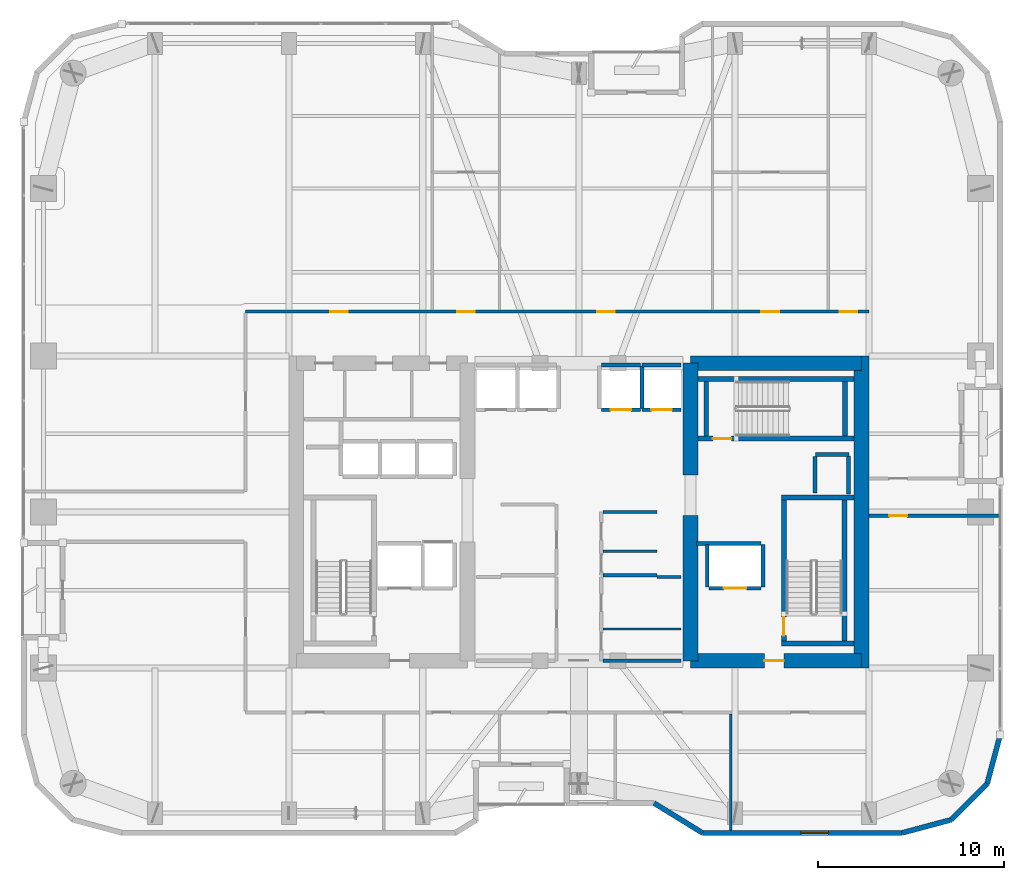
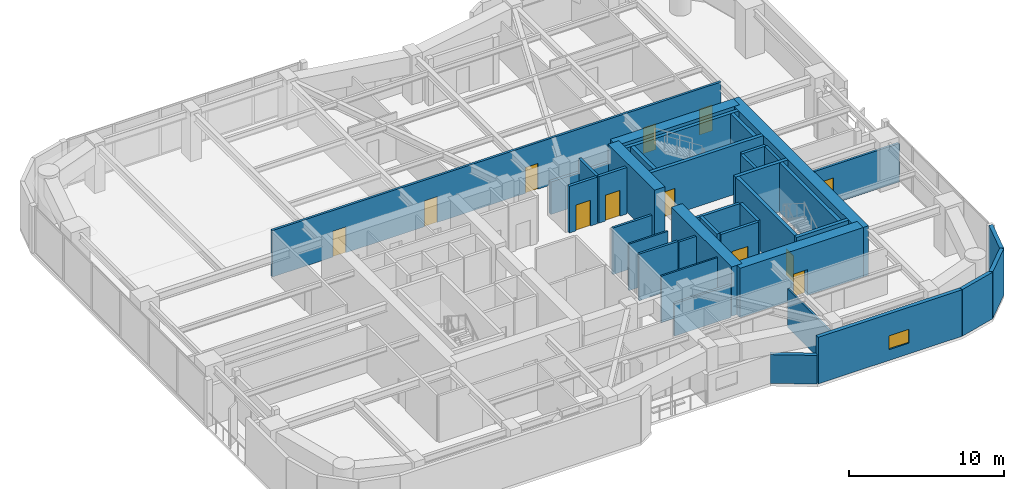
# One storey, part 26 of 30: 39 walls, 12 doors, 1 window, 13 openings.
"""IFC4 building model written with IfcOpenShell, lengths in metres."""

from ifc_helpers import new_model, si_unit, direction, frame, frame_2d, origin, place, context, subcontext, project, spatial, rectangle, extrude, material, layer, layer_set, type_object, element, fill, save


model = new_model("IFC4")

# Units and contexts
model_context = context("Model", 3, precision=1e-05, world=origin(), true_north=direction((0.0, 1.0)))
body_context = subcontext(model_context, "Body", "Model", "MODEL_VIEW")
ifc_project = project(units=[si_unit("LENGTHUNIT", "METRE"), si_unit("AREAUNIT", "SQUARE_METRE"), si_unit("VOLUMEUNIT", "CUBIC_METRE"), si_unit("PLANEANGLEUNIT", "RADIAN"), si_unit("MASSUNIT", "GRAM", prefix="KILO")], contexts=[model_context])

# Site, building, storey
site_placement = place(None, origin())
site = spatial("IfcSite", under=ifc_project, at=site_placement, CompositionType="ELEMENT")
building_placement = place(site_placement, origin())
building = spatial("IfcBuilding", under=site, at=building_placement, Name="Kiyonajd Concourse Tower", CompositionType="ELEMENT")
storey_placement = place(building_placement, frame((0.0, 0.0, 150.60009765625)))
storey = spatial("IfcBuildingStorey", under=building, at=storey_placement, Name="L38", CompositionType="ELEMENT", Elevation=150.60009765625)

# Walls
ifc_material_1 = material(Name="Concrete C70/85", Category="concrete")
ifc_layer_1 = layer(ifc_material_1, 0.800048828125)
ifc_layer_set_1 = layer_set([ifc_layer_1], Name="Concrete C70/85")
wall_type_1 = type_object("IfcWallType", Name="WL-CORE-800", PredefinedType="SHEAR", material=ifc_layer_set_1)
wall_1_placement = place(storey_placement, frame((54.0, 28.0, 0.0), z_axis=(0.0, 0.0, 1.0), x_axis=(0.0, 1.0, 0.0)))
element("IfcWall", 1, at=wall_1_placement, inside=storey, type_object=wall_type_1, Name="L38 East Core Inner South Shear Wall", PredefinedType="SHEAR", context=body_context, shape_type="SweptSolid", body=[
    extrude(rectangle(XDim=7.800048828125, YDim=0.800048828125, at=frame_2d((3.89990234375, 0.0))), origin(), (0.0, 0.0, 1.0), 3.89990234375),
])
wall_2_placement = place(storey_placement, frame((54.0, 38.0, 0.0), z_axis=(0.0, 0.0, 1.0), x_axis=(0.0, 1.0, 0.0)))
element("IfcWall", 2, at=wall_2_placement, inside=storey, type_object=wall_type_1, Name="L38 East Core Inner North Shear Wall", PredefinedType="SHEAR", context=body_context, shape_type="SweptSolid", body=[
    extrude(rectangle(XDim=6.0, YDim=0.800048828125, at=frame_2d((3.0, 0.0))), origin(), (0.0, 0.0, 1.0), 3.89990234375),
])
wall_3_placement = place(storey_placement, frame((63.199951171875, 27.60009765625, 0.0), z_axis=(0.0, 0.0, 1.0), x_axis=(0.0, 1.0, 0.0)))
element("IfcWall", 3, at=wall_3_placement, inside=storey, type_object=wall_type_1, Name="L38 East Core Outer Shear Wall", PredefinedType="SHEAR", context=body_context, shape_type="SweptSolid", body=[
    extrude(rectangle(XDim=16.7998046875, YDim=0.800048828125, at=frame_2d((8.39990234375, 0.0))), origin(), (0.0, 0.0, 1.0), 3.89990234375),
])

# Wall, opening, door
wall_4_placement = place(storey_placement, frame((54.0, 28.0, 0.0), z_axis=(0.0, 0.0, 1.0), x_axis=(1.0, 0.0, 0.0)))
wall_4 = element("IfcWall", 4, at=wall_4_placement, inside=storey, type_object=wall_type_1, Name="L38 East Core South Shear Wall", PredefinedType="SHEAR", context=body_context, shape_type="SweptSolid", body=[
    extrude(rectangle(XDim=9.199951171875, YDim=0.800048828125, at=frame_2d((4.60009765625, 0.0))), origin(), (0.0, 0.0, 1.0), 3.89990234375),
])
opening_1_placement = place(wall_4_placement, frame((3.97509765625, 0.0, 0.0)))
opening_1 = element("IfcOpeningElement", 5, at=opening_1_placement, cuts=wall_4, Name="Opening DF5", PredefinedType="OPENING", context=body_context, shape_type="SweptSolid", body=[
    extrude(rectangle(XDim=1.050048828125, YDim=2.0400390625, at=frame_2d((0.52490234375, 1.02001953125))), frame((0.0, 0.409912109375, 0.0), z_axis=(0.0, -1.0, 0.0), x_axis=(1.0, 0.0, 0.0)), (0.0, 0.0, 1.0), 0.820068359375),
])
ifc_material_2 = material(Name="Brushed Stainless Steel Cab Assembly", Category="steel")
door_type_1 = type_object("IfcDoorType", Name="DR-FD45-1050", OperationType="NOTDEFINED", PredefinedType="DOOR", material=ifc_material_2)
door_1_placement = place(opening_1_placement, origin())
door_1 = element("IfcDoor", 6, at=door_1_placement, inside=storey, type_object=door_type_1, Name="L38 Firefighting Lift Lobby E Smoke Door", OperationType="SINGLE_SWING_RIGHT", OverallHeight=2.0400390625, OverallWidth=1.050048828125, PredefinedType="DOOR", context=body_context, shape_type="SweptSolid", body=[
    extrude(rectangle(XDim=1.050048828125, YDim=2.0400390625, at=frame_2d((0.52490234375, 1.02001953125))), frame((0.0, 0.02490234375, 0.0), z_axis=(0.0, -1.0, 0.0), x_axis=(1.0, 0.0, 0.0)), (0.0, 0.0, 1.0), 0.050048828125),
])
fill(opening_1, door_1)

# Walls
wall_5_placement = place(storey_placement, frame((54.0, 44.0, 0.0), z_axis=(0.0, 0.0, 1.0), x_axis=(1.0, 0.0, 0.0)))
element("IfcWall", 7, at=wall_5_placement, inside=storey, type_object=wall_type_1, Name="L38 East Core North Shear Wall", PredefinedType="SHEAR", context=body_context, shape_type="SweptSolid", body=[
    extrude(rectangle(XDim=9.199951171875, YDim=0.800048828125, at=frame_2d((4.60009765625, 0.0))), origin(), (0.0, 0.0, 1.0), 3.89990234375),
])
ifc_material_3 = material(Name="Precast concrete C50/60", Category="concrete")
ifc_layer_2 = layer(ifc_material_3, 0.280029296875)
ifc_layer_set_2 = layer_set([ifc_layer_2], Name="Precast concrete C50/60")
wall_type_2 = type_object("IfcWallType", Name="WL-EXT-280", PredefinedType="SOLIDWALL", material=ifc_layer_set_2)
wall_6_placement = place(storey_placement, frame((70.659912109375, 24.018310546875, 0.0), z_axis=(0.0, 0.0, 1.0), x_axis=(-0.258672222976, -0.9659651552, 0.0)))
element("IfcWall", 8, at=wall_6_placement, inside=storey, type_object=wall_type_2, Name="L38 Exterior Concrete Frame Wall 25", PredefinedType="SOLIDWALL", context=body_context, shape_type="SweptSolid", body=[
    extrude(rectangle(XDim=2.739013671875, YDim=0.280029296875, at=frame_2d((1.36962890625, 0.0))), origin(), (0.0, 0.0, 1.0), 3.679931640625),
])
wall_7_placement = place(storey_placement, frame((69.951416015625, 21.37255859375, 0.0), z_axis=(0.0, 0.0, 1.0), x_axis=(-0.707061915429, -0.707151644098, 0.0)))
element("IfcWall", 9, at=wall_7_placement, inside=storey, type_object=wall_type_2, Name="L38 Exterior Concrete Frame Wall 26", PredefinedType="SOLIDWALL", context=body_context, shape_type="SweptSolid", body=[
    extrude(rectangle(XDim=2.720947265625, YDim=0.280029296875, at=frame_2d((1.3603515625, 0.0))), origin(), (0.0, 0.0, 1.0), 3.679931640625),
])
wall_8_placement = place(storey_placement, frame((68.027587890625, 19.448486328125, 0.0), z_axis=(0.0, 0.0, 1.0), x_axis=(-0.965971118627, -0.258649952598, 0.0)))
element("IfcWall", 10, at=wall_8_placement, inside=storey, type_object=wall_type_2, Name="L38 Exterior Concrete Frame Wall 27", PredefinedType="SOLIDWALL", context=body_context, shape_type="SweptSolid", body=[
    extrude(rectangle(XDim=2.7392578125, YDim=0.280029296875, at=frame_2d((1.36962890625, 0.0))), origin(), (0.0, 0.0, 1.0), 3.679931640625),
])

# Wall, opening, window
wall_9_placement = place(storey_placement, frame((65.381591796875, 18.739990234375, 0.0), z_axis=(0.0, 0.0, 1.0), x_axis=(-1.0, 0.0, 0.0)))
wall_9 = element("IfcWall", 11, at=wall_9_placement, inside=storey, type_object=wall_type_2, Name="L38 Exterior Concrete Frame Wall 28", PredefinedType="SOLIDWALL", context=body_context, shape_type="SweptSolid", body=[
    extrude(rectangle(XDim=10.741943359375, YDim=0.280029296875, at=frame_2d((5.37109375, 0.0))), origin(), (0.0, 0.0, 1.0), 3.679931640625),
])
opening_2_placement = place(wall_9_placement, frame((3.950927734375, 0.0, 0.85009765625)))
opening_2 = element("IfcOpeningElement", 12, at=opening_2_placement, cuts=wall_9, Name="Opening WN2", PredefinedType="OPENING", context=body_context, shape_type="SweptSolid", body=[
    extrude(rectangle(XDim=1.5, YDim=1.10009765625, at=frame_2d((0.75, 0.550048828125))), frame((0.0, 0.14990234375, 0.0), z_axis=(0.0, -1.0, 0.0), x_axis=(1.0, 0.0, 0.0)), (0.0, 0.0, 1.0), 0.300048828125),
])
ifc_material_4 = material(Name="Double Low-E Insulated Glass", Category="glass")
window_type = type_object("IfcWindowType", Name="WN-VIS-1500x1100", PartitioningType="SINGLE_PANEL", PredefinedType="WINDOW", material=ifc_material_4)
window_placement = place(opening_2_placement, origin())
window = element("IfcWindow", 13, at=window_placement, inside=storey, type_object=window_type, Name="L38 Modular Facade Vision Window 28", OverallHeight=1.10009765625, OverallWidth=1.5, PartitioningType="SINGLE_PANEL", PredefinedType="WINDOW", context=body_context, shape_type="SweptSolid", body=[
    extrude(rectangle(XDim=1.5, YDim=1.10009765625, at=frame_2d((0.75, 0.550048828125))), frame((0.0, 0.030029296875, 0.0), z_axis=(0.0, -1.0, 0.0), x_axis=(1.0, 0.0, 0.0)), (0.0, 0.0, 1.0), 0.06005859375),
])
fill(opening_2, window)

# Walls
wall_10_placement = place(storey_placement, frame((54.6396484375, 18.739990234375, 0.0), z_axis=(0.0, 0.0, 1.0), x_axis=(-0.851652825334, 0.524106349037, 0.0)))
element("IfcWall", 14, at=wall_10_placement, inside=storey, type_object=wall_type_2, Name="L38 Exterior Concrete Frame Wall 29", PredefinedType="SOLIDWALL", context=body_context, shape_type="SweptSolid", body=[
    extrude(rectangle(XDim=3.052978515625, YDim=0.280029296875, at=frame_2d((1.5263671875, 0.0))), origin(), (0.0, 0.0, 1.0), 2.264892578125),
])
ifc_material_5 = material(Name="Gypsum Board on Cold-Formed Steel Stud", Category="steel")
ifc_layer_3 = layer(ifc_material_5, 0.125)
ifc_layer_set_3 = layer_set([ifc_layer_3], Name="Gypsum Board on Cold-Formed Steel Stud")
wall_type_3 = type_object("IfcWallType", Name="WL-PART-125", PredefinedType="PARTITIONING", material=ifc_layer_set_3)
wall_11_placement = place(storey_placement, frame((49.287109375, 33.89208984375, 0.0), z_axis=(0.0, 0.0, 1.0), x_axis=(1.0, 0.0, 0.0)))
element("IfcWall", 15, at=wall_11_placement, inside=storey, type_object=wall_type_3, Name="L38 Interior Partition Wall", PredefinedType="PARTITIONING", context=body_context, shape_type="SweptSolid", body=[
    extrude(rectangle(XDim=2.912841796875, YDim=0.125, at=frame_2d((1.45654296875, 0.0))), origin(), (0.0, 0.0, 1.0), 3.679931640625),
])
wall_12_placement = place(storey_placement, frame((49.287109375, 29.7099609375, 0.0), z_axis=(0.0, 0.0, 1.0), x_axis=(1.0, 0.0, 0.0)))
element("IfcWall", 16, at=wall_12_placement, inside=storey, type_object=wall_type_3, Name="L38 Interior Partition Wall", PredefinedType="PARTITIONING", context=body_context, shape_type="SweptSolid", body=[
    extrude(rectangle(XDim=4.212890625, YDim=0.125, at=frame_2d((2.1064453125, 0.0))), origin(), (0.0, 0.0, 1.0), 3.679931640625),
])
wall_13_placement = place(storey_placement, frame((56.169921875, 18.875, 0.0), z_axis=(0.0, 0.0, 1.0), x_axis=(0.0, 1.0, 0.0)))
element("IfcWall", 17, at=wall_13_placement, inside=storey, type_object=wall_type_3, Name="L38 Interior Partition Wall", PredefinedType="PARTITIONING", context=body_context, shape_type="SweptSolid", body=[
    extrude(rectangle(XDim=6.258056640625, YDim=0.125, at=frame_2d((3.12890625, 0.0))), origin(), (0.0, 0.0, 1.0), 3.04296875),
])
ifc_layer_4 = layer(ifc_material_5, 0.2099609375)
ifc_layer_set_4 = layer_set([ifc_layer_4], Name="Gypsum Board on Cold-Formed Steel Stud")
wall_type_4 = type_object("IfcWallType", Name="WL-SHAFT-210", PredefinedType="PARTITIONING", material=ifc_layer_set_4)
wall_14_placement = place(storey_placement, frame((60.719970703125, 39.10009765625, 0.0), z_axis=(0.0, 0.0, 1.0), x_axis=(1.0, 0.0, 0.0)))
element("IfcWall", 18, at=wall_14_placement, inside=storey, type_object=wall_type_4, Name="L38 Shaft Enclosure Wall", PredefinedType="PARTITIONING", context=body_context, shape_type="SweptSolid", body=[
    extrude(rectangle(XDim=1.800048828125, YDim=0.2099609375, at=frame_2d((0.89990234375, 0.0))), origin(), (0.0, 0.0, 1.0), 3.679931640625),
])
wall_15_placement = place(storey_placement, frame((60.699951171875, 37.02001953125, 0.0), z_axis=(0.0, 0.0, 1.0), x_axis=(0.0, 1.0, 0.0)))
element("IfcWall", 19, at=wall_15_placement, inside=storey, type_object=wall_type_4, Name="L38 Shaft Enclosure Wall", PredefinedType="PARTITIONING", context=body_context, shape_type="SweptSolid", body=[
    extrude(rectangle(XDim=1.9599609375, YDim=0.2099609375, at=frame_2d((0.97998046875, 0.0))), origin(), (0.0, 0.0, 1.0), 3.679931640625),
])
wall_16_placement = place(storey_placement, frame((62.5, 36.97998046875, 0.0), z_axis=(0.0, 0.0, 1.0), x_axis=(0.0, 1.0, 0.0)))
element("IfcWall", 20, at=wall_16_placement, inside=storey, type_object=wall_type_4, Name="L38 Shaft Enclosure Wall", PredefinedType="PARTITIONING", context=body_context, shape_type="SweptSolid", body=[
    extrude(rectangle(XDim=2.0400390625, YDim=0.2099609375, at=frame_2d((1.02001953125, 0.0))), origin(), (0.0, 0.0, 1.0), 3.679931640625),
])

# Wall, opening, door
wall_17_placement = place(storey_placement, frame((55.0, 31.89990234375, 0.0), z_axis=(0.0, 0.0, 1.0), x_axis=(1.0, 0.0, 0.0)))
wall_17 = element("IfcWall", 21, at=wall_17_placement, inside=storey, type_object=wall_type_4, Name="L38 Shaft Enclosure Wall", PredefinedType="PARTITIONING", context=body_context, shape_type="SweptSolid", body=[
    extrude(rectangle(XDim=2.800048828125, YDim=0.2099609375, at=frame_2d((1.39990234375, 0.0))), origin(), (0.0, 0.0, 1.0), 3.679931640625),
])
opening_3_placement = place(wall_17_placement, frame((0.800048828125, 0.0, 0.0)))
opening_3 = element("IfcOpeningElement", 22, at=opening_3_placement, cuts=wall_17, Name="Opening LD2", PredefinedType="OPENING", context=body_context, shape_type="SweptSolid", body=[
    extrude(rectangle(XDim=1.199951171875, YDim=2.0400390625, at=frame_2d((0.60009765625, 1.02001953125))), frame((0.0, 0.114990234375, 0.0), z_axis=(0.0, -1.0, 0.0), x_axis=(1.0, 0.0, 0.0)), (0.0, 0.0, 1.0), 0.22998046875),
])
door_type_2 = type_object("IfcDoorType", Name="DR-LD-1200", OperationType="DOUBLE_DOOR_SLIDING", PredefinedType="DOOR", material=ifc_material_2)
door_2_placement = place(opening_3_placement, origin())
door_2 = element("IfcDoor", 23, at=door_2_placement, inside=storey, type_object=door_type_2, Name="L38 Lift FFL2 Sliding Landing Door", OperationType="DOUBLE_DOOR_SLIDING", OverallHeight=2.0400390625, OverallWidth=1.199951171875, PredefinedType="DOOR", context=body_context, shape_type="SweptSolid", body=[
    extrude(rectangle(XDim=1.199951171875, YDim=2.0400390625, at=frame_2d((0.60009765625, 1.02001953125))), frame((0.0, 0.02490234375, 0.0), z_axis=(0.0, -1.0, 0.0), x_axis=(1.0, 0.0, 0.0)), (0.0, 0.0, 1.0), 0.050048828125),
])
fill(opening_3, door_2)

# Walls
wall_18_placement = place(storey_placement, frame((54.320068359375, 34.300048828125, 0.0), z_axis=(0.0, 0.0, 1.0), x_axis=(1.0, 0.0, 0.0)))
element("IfcWall", 24, at=wall_18_placement, inside=storey, type_object=wall_type_4, Name="L38 Shaft Enclosure Wall", PredefinedType="PARTITIONING", context=body_context, shape_type="SweptSolid", body=[
    extrude(rectangle(XDim=3.47998046875, YDim=0.2099609375, at=frame_2d((1.739990234375, 0.0))), origin(), (0.0, 0.0, 1.0), 3.679931640625),
])
for number, where, z_axis, x_axis, name in (
    (25, (54.89990234375, 31.9599609375, 0.0), (0.0, 0.0, 1.0), (0.0, 1.0, 0.0), "L38 Shaft Enclosure Wall"),
    (26, (57.89990234375, 31.9599609375, 0.0), (0.0, 0.0, 1.0), (0.0, 1.0, 0.0), "L38 Shaft Enclosure Wall"),
):
    element("IfcWall", number, at=place(storey_placement, frame(where, z_axis=z_axis, x_axis=x_axis)), inside=storey, type_object=wall_type_4, Name=name, PredefinedType="PARTITIONING", context=body_context, shape_type="SweptSolid", body=[
        extrude(rectangle(XDim=2.280029296875, YDim=0.2099609375, at=frame_2d((1.14013671875, 0.0))), origin(), (0.0, 0.0, 1.0), 3.679931640625),
    ])

# Wall, opening, door
wall_19_placement = place(storey_placement, frame((49.199951171875, 41.5, 0.0), z_axis=(0.0, 0.0, 1.0), x_axis=(1.0, 0.0, 0.0)))
wall_19 = element("IfcWall", 27, at=wall_19_placement, inside=storey, type_object=wall_type_4, Name="L38 Shaft Enclosure Wall", PredefinedType="PARTITIONING", context=body_context, shape_type="SweptSolid", body=[
    extrude(rectangle(XDim=2.10009765625, YDim=0.2099609375, at=frame_2d((1.050048828125, 0.0))), origin(), (0.0, 0.0, 1.0), 3.679931640625),
])
opening_4_placement = place(wall_19_placement, frame((0.5, 0.0, 0.0)))
opening_4 = element("IfcOpeningElement", 28, at=opening_4_placement, cuts=wall_19, Name="Opening LD1", PredefinedType="OPENING", context=body_context, shape_type="SweptSolid", body=[
    extrude(rectangle(XDim=1.10009765625, YDim=2.0400390625, at=frame_2d((0.550048828125, 1.02001953125))), frame((0.0, 0.114990234375, 0.0), z_axis=(0.0, -1.0, 0.0), x_axis=(1.0, 0.0, 0.0)), (0.0, 0.0, 1.0), 0.22998046875),
])
door_type_3 = type_object("IfcDoorType", Name="DR-LD-1100", OperationType="DOUBLE_DOOR_SLIDING", PredefinedType="DOOR", material=ifc_material_2)
door_3_placement = place(opening_4_placement, origin())
door_3 = element("IfcDoor", 29, at=door_3_placement, inside=storey, type_object=door_type_3, Name="L38 Lift PL-M3 Sliding Landing Door", OperationType="DOUBLE_DOOR_SLIDING", OverallHeight=2.0400390625, OverallWidth=1.10009765625, PredefinedType="DOOR", context=body_context, shape_type="SweptSolid", body=[
    extrude(rectangle(XDim=1.10009765625, YDim=2.0400390625, at=frame_2d((0.550048828125, 1.02001953125))), frame((0.0, 0.02490234375, 0.0), z_axis=(0.0, -1.0, 0.0), x_axis=(1.0, 0.0, 0.0)), (0.0, 0.0, 1.0), 0.050048828125),
])
fill(opening_4, door_3)

# Walls
wall_20_placement = place(storey_placement, frame((49.199951171875, 43.89990234375, 0.0), z_axis=(0.0, 0.0, 1.0), x_axis=(1.0, 0.0, 0.0)))
element("IfcWall", 30, at=wall_20_placement, inside=storey, type_object=wall_type_4, Name="L38 Shaft Enclosure Wall", PredefinedType="PARTITIONING", context=body_context, shape_type="SweptSolid", body=[
    extrude(rectangle(XDim=2.10009765625, YDim=0.2099609375, at=frame_2d((1.050048828125, 0.0))), origin(), (0.0, 0.0, 1.0), 2.56494140625),
])
wall_21_placement = place(storey_placement, frame((51.39990234375, 41.56005859375, 0.0), z_axis=(0.0, 0.0, 1.0), x_axis=(0.0, 1.0, 0.0)))
element("IfcWall", 31, at=wall_21_placement, inside=storey, type_object=wall_type_4, Name="L38 Shaft Enclosure Wall", PredefinedType="PARTITIONING", context=body_context, shape_type="SweptSolid", body=[
    extrude(rectangle(XDim=2.280029296875, YDim=0.2099609375, at=frame_2d((1.14013671875, 0.0))), origin(), (0.0, 0.0, 1.0), 3.679931640625),
])

# Wall, opening, door
wall_22_placement = place(storey_placement, frame((51.39990234375, 41.5, 0.0), z_axis=(0.0, 0.0, 1.0), x_axis=(1.0, 0.0, 0.0)))
wall_22 = element("IfcWall", 32, at=wall_22_placement, inside=storey, type_object=wall_type_4, Name="L38 Shaft Enclosure Wall", PredefinedType="PARTITIONING", context=body_context, shape_type="SweptSolid", body=[
    extrude(rectangle(XDim=2.10009765625, YDim=0.2099609375, at=frame_2d((1.050048828125, 0.0))), origin(), (0.0, 0.0, 1.0), 3.679931640625),
])
opening_5_placement = place(wall_22_placement, frame((0.5, 0.0, 0.0)))
opening_5 = element("IfcOpeningElement", 33, at=opening_5_placement, cuts=wall_22, Name="Opening LD1", PredefinedType="OPENING", context=body_context, shape_type="SweptSolid", body=[
    extrude(rectangle(XDim=1.10009765625, YDim=2.0400390625, at=frame_2d((0.550048828125, 1.02001953125))), frame((0.0, 0.114990234375, 0.0), z_axis=(0.0, -1.0, 0.0), x_axis=(1.0, 0.0, 0.0)), (0.0, 0.0, 1.0), 0.22998046875),
])
door_4_placement = place(opening_5_placement, origin())
door_4 = element("IfcDoor", 34, at=door_4_placement, inside=storey, type_object=door_type_3, Name="L38 Lift PL-M4 Sliding Landing Door", OperationType="DOUBLE_DOOR_SLIDING", OverallHeight=2.0400390625, OverallWidth=1.10009765625, PredefinedType="DOOR", context=body_context, shape_type="SweptSolid", body=[
    extrude(rectangle(XDim=1.10009765625, YDim=2.0400390625, at=frame_2d((0.550048828125, 1.02001953125))), frame((0.0, 0.02490234375, 0.0), z_axis=(0.0, -1.0, 0.0), x_axis=(1.0, 0.0, 0.0)), (0.0, 0.0, 1.0), 0.050048828125),
])
fill(opening_5, door_4)

# Walls
wall_23_placement = place(storey_placement, frame((51.39990234375, 43.89990234375, 0.0), z_axis=(0.0, 0.0, 1.0), x_axis=(1.0, 0.0, 0.0)))
element("IfcWall", 35, at=wall_23_placement, inside=storey, type_object=wall_type_4, Name="L38 Shaft Enclosure Wall", PredefinedType="PARTITIONING", context=body_context, shape_type="SweptSolid", body=[
    extrude(rectangle(XDim=2.10009765625, YDim=0.2099609375, at=frame_2d((1.050048828125, 0.0))), origin(), (0.0, 0.0, 1.0), 2.56494140625),
])
ifc_layer_5 = layer(ifc_material_5, 0.169921875)
ifc_layer_set_5 = layer_set([ifc_layer_5], Name="Gypsum Board on Cold-Formed Steel Stud")
wall_type_5 = type_object("IfcWallType", Name="WL-SMK-170", PredefinedType="PARTITIONING", material=ifc_layer_set_5)
for number, where, z_axis, x_axis, name in (
    (36, (49.287109375, 32.60009765625, 0.0), (0.0, 0.0, 1.0), (1.0, 0.0, 0.0), "L38 Interior Partition Wall"),
    (37, (49.287109375, 36.0, 0.0), (0.0, 0.0, 1.0), (1.0, 0.0, 0.0), "L38 Interior Partition Wall"),
):
    element("IfcWall", number, at=place(storey_placement, frame(where, z_axis=z_axis, x_axis=x_axis)), inside=storey, type_object=wall_type_5, Name=name, PredefinedType="PARTITIONING", context=body_context, shape_type="SweptSolid", body=[
        extrude(rectangle(XDim=2.912841796875, YDim=0.169921875, at=frame_2d((1.45654296875, 0.0))), origin(), (0.0, 0.0, 1.0), 3.679931640625),
    ])
wall_24_placement = place(storey_placement, frame((49.287109375, 28.0, 0.0), z_axis=(0.0, 0.0, 1.0), x_axis=(1.0, 0.0, 0.0)))
element("IfcWall", 38, at=wall_24_placement, inside=storey, type_object=wall_type_5, Name="L38 Interior Partition Wall", PredefinedType="PARTITIONING", context=body_context, shape_type="SweptSolid", body=[
    extrude(rectangle(XDim=4.212890625, YDim=0.169921875, at=frame_2d((2.1064453125, 0.0))), origin(), (0.0, 0.0, 1.0), 2.56494140625),
])
wall_25_placement = place(storey_placement, frame((52.199951171875, 32.5, 0.0), z_axis=(0.0, 0.0, 1.0), x_axis=(1.0, 0.0, 0.0)))
element("IfcWall", 39, at=wall_25_placement, inside=storey, type_object=wall_type_5, Name="L38 Interior Partition Wall", PredefinedType="PARTITIONING", context=body_context, shape_type="SweptSolid", body=[
    extrude(rectangle(XDim=1.300048828125, YDim=0.169921875, at=frame_2d((0.64990234375, 0.0))), origin(), (0.0, 0.0, 1.0), 3.679931640625),
])

# Wall, openings, doors
wall_26_placement = place(storey_placement, frame((30.074951171875, 46.780029296875, 0.0), z_axis=(0.0, 0.0, 1.0), x_axis=(1.0, 0.0, 0.0)))
wall_26 = element("IfcWall", 40, at=wall_26_placement, inside=storey, type_object=wall_type_5, Name="L38 Interior Partition Wall", PredefinedType="PARTITIONING", context=body_context, shape_type="SweptSolid", body=[
    extrude(rectangle(XDim=33.525146484375, YDim=0.169921875, at=frame_2d((16.7626953125, 0.0))), origin(), (0.0, 0.0, 1.0), 3.679931640625),
])
opening_6_placement = place(wall_26_placement, frame((4.54296875, 0.0, 0.0)))
opening_6 = element("IfcOpeningElement", 41, at=opening_6_placement, cuts=wall_26, Name="Opening DI1", PredefinedType="OPENING", context=body_context, shape_type="SweptSolid", body=[
    extrude(rectangle(XDim=0.949951171875, YDim=2.0400390625, at=frame_2d((0.47509765625, 1.02001953125))), frame((0.0, 0.094970703125, 0.0), z_axis=(0.0, -1.0, 0.0), x_axis=(1.0, 0.0, 0.0)), (0.0, 0.0, 1.0), 0.18994140625),
])
opening_7_placement = place(wall_26_placement, frame((11.3701171875, 0.0, 0.0)))
opening_7 = element("IfcOpeningElement", 42, at=opening_7_placement, cuts=wall_26, Name="Opening DI1", PredefinedType="OPENING", context=body_context, shape_type="SweptSolid", body=[
    extrude(rectangle(XDim=0.949951171875, YDim=2.0400390625, at=frame_2d((0.47509765625, 1.02001953125))), frame((0.0, 0.094970703125, 0.0), z_axis=(0.0, -1.0, 0.0), x_axis=(1.0, 0.0, 0.0)), (0.0, 0.0, 1.0), 0.18994140625),
])
opening_8_placement = place(wall_26_placement, frame((18.905029296875, 0.0, 0.0)))
opening_8 = element("IfcOpeningElement", 43, at=opening_8_placement, cuts=wall_26, Name="Opening DI1", PredefinedType="OPENING", context=body_context, shape_type="SweptSolid", body=[
    extrude(rectangle(XDim=0.949951171875, YDim=2.0400390625, at=frame_2d((0.47509765625, 1.02001953125))), frame((0.0, 0.094970703125, 0.0), z_axis=(0.0, -1.0, 0.0), x_axis=(1.0, 0.0, 0.0)), (0.0, 0.0, 1.0), 0.18994140625),
])
opening_9_placement = place(wall_26_placement, frame((27.739990234375, 0.0, 0.0)))
opening_9 = element("IfcOpeningElement", 44, at=opening_9_placement, cuts=wall_26, Name="Opening DI1", PredefinedType="OPENING", context=body_context, shape_type="SweptSolid", body=[
    extrude(rectangle(XDim=0.949951171875, YDim=2.0400390625, at=frame_2d((0.47509765625, 1.02001953125))), frame((0.0, 0.094970703125, 0.0), z_axis=(0.0, -1.0, 0.0), x_axis=(1.0, 0.0, 0.0)), (0.0, 0.0, 1.0), 0.18994140625),
])
opening_10_placement = place(wall_26_placement, frame((31.949951171875, 0.0, 0.0)))
opening_10 = element("IfcOpeningElement", 45, at=opening_10_placement, cuts=wall_26, Name="Opening DI1", PredefinedType="OPENING", context=body_context, shape_type="SweptSolid", body=[
    extrude(rectangle(XDim=0.949951171875, YDim=2.0400390625, at=frame_2d((0.47509765625, 1.02001953125))), frame((0.0, 0.094970703125, 0.0), z_axis=(0.0, -1.0, 0.0), x_axis=(1.0, 0.0, 0.0)), (0.0, 0.0, 1.0), 0.18994140625),
])
ifc_material_6 = material(Name="Natural Oak Acoustic Timber Veneer", Category="wood")
door_type_4 = type_object("IfcDoorType", Name="DR-INT-950", OperationType="NOTDEFINED", PredefinedType="DOOR", material=ifc_material_6)
door_5_placement = place(opening_6_placement, origin())
door_5 = element("IfcDoor", 46, at=door_5_placement, inside=storey, type_object=door_type_4, Name="L38 Interior Door", OperationType="SINGLE_SWING_RIGHT", OverallHeight=2.0400390625, OverallWidth=0.949951171875, PredefinedType="DOOR", context=body_context, shape_type="SweptSolid", body=[
    extrude(rectangle(XDim=0.949951171875, YDim=2.0400390625, at=frame_2d((0.47509765625, 1.02001953125))), frame((0.0, 0.02490234375, 0.0), z_axis=(0.0, -1.0, 0.0), x_axis=(1.0, 0.0, 0.0)), (0.0, 0.0, 1.0), 0.050048828125),
])
fill(opening_6, door_5)
door_6_placement = place(opening_7_placement, origin())
door_6 = element("IfcDoor", 47, at=door_6_placement, inside=storey, type_object=door_type_4, Name="L38 Interior Door", OperationType="SINGLE_SWING_RIGHT", OverallHeight=2.0400390625, OverallWidth=0.949951171875, PredefinedType="DOOR", context=body_context, shape_type="SweptSolid", body=[
    extrude(rectangle(XDim=0.949951171875, YDim=2.0400390625, at=frame_2d((0.47509765625, 1.02001953125))), frame((0.0, 0.02490234375, 0.0), z_axis=(0.0, -1.0, 0.0), x_axis=(1.0, 0.0, 0.0)), (0.0, 0.0, 1.0), 0.050048828125),
])
fill(opening_7, door_6)
door_7_placement = place(opening_8_placement, origin())
door_7 = element("IfcDoor", 48, at=door_7_placement, inside=storey, type_object=door_type_4, Name="L38 Interior Door", OperationType="SINGLE_SWING_LEFT", OverallHeight=2.0400390625, OverallWidth=0.949951171875, PredefinedType="DOOR", context=body_context, shape_type="SweptSolid", body=[
    extrude(rectangle(XDim=0.949951171875, YDim=2.0400390625, at=frame_2d((0.47509765625, 1.02001953125))), frame((0.0, 0.02490234375, 0.0), z_axis=(0.0, -1.0, 0.0), x_axis=(1.0, 0.0, 0.0)), (0.0, 0.0, 1.0), 0.050048828125),
])
fill(opening_8, door_7)
door_8_placement = place(opening_9_placement, origin())
door_8 = element("IfcDoor", 49, at=door_8_placement, inside=storey, type_object=door_type_4, Name="L38 Interior Door", OperationType="SINGLE_SWING_LEFT", OverallHeight=2.0400390625, OverallWidth=0.949951171875, PredefinedType="DOOR", context=body_context, shape_type="SweptSolid", body=[
    extrude(rectangle(XDim=0.949951171875, YDim=2.0400390625, at=frame_2d((0.47509765625, 1.02001953125))), frame((0.0, 0.02490234375, 0.0), z_axis=(0.0, -1.0, 0.0), x_axis=(1.0, 0.0, 0.0)), (0.0, 0.0, 1.0), 0.050048828125),
])
fill(opening_9, door_8)
door_9_placement = place(opening_10_placement, origin())
door_9 = element("IfcDoor", 50, at=door_9_placement, inside=storey, type_object=door_type_4, Name="L38 Interior Door", OperationType="SINGLE_SWING_RIGHT", OverallHeight=2.0400390625, OverallWidth=0.949951171875, PredefinedType="DOOR", context=body_context, shape_type="SweptSolid", body=[
    extrude(rectangle(XDim=0.949951171875, YDim=2.0400390625, at=frame_2d((0.47509765625, 1.02001953125))), frame((0.0, 0.02490234375, 0.0), z_axis=(0.0, -1.0, 0.0), x_axis=(1.0, 0.0, 0.0)), (0.0, 0.0, 1.0), 0.050048828125),
])
fill(opening_10, door_9)

# Wall, opening, door
wall_27_placement = place(storey_placement, frame((63.60009765625, 35.800048828125, 0.0), z_axis=(0.0, 0.0, 1.0), x_axis=(1.0, 0.0, 0.0)))
wall_27 = element("IfcWall", 51, at=wall_27_placement, inside=storey, type_object=wall_type_5, Name="L38 Interior Partition Wall", PredefinedType="PARTITIONING", context=body_context, shape_type="SweptSolid", body=[
    extrude(rectangle(XDim=6.974853515625, YDim=0.169921875, at=frame_2d((3.4873046875, 0.0))), origin(), (0.0, 0.0, 1.0), 3.04296875),
])
opening_11_placement = place(wall_27_placement, frame((1.10009765625, 0.0, 0.0)))
opening_11 = element("IfcOpeningElement", 52, at=opening_11_placement, cuts=wall_27, Name="Opening DI1", PredefinedType="OPENING", context=body_context, shape_type="SweptSolid", body=[
    extrude(rectangle(XDim=0.949951171875, YDim=2.0400390625, at=frame_2d((0.47509765625, 1.02001953125))), frame((0.0, 0.094970703125, 0.0), z_axis=(0.0, -1.0, 0.0), x_axis=(1.0, 0.0, 0.0)), (0.0, 0.0, 1.0), 0.18994140625),
])
door_10_placement = place(opening_11_placement, origin())
door_10 = element("IfcDoor", 53, at=door_10_placement, inside=storey, type_object=door_type_4, Name="L38 Interior Door", OperationType="SINGLE_SWING_LEFT", OverallHeight=2.0400390625, OverallWidth=0.949951171875, PredefinedType="DOOR", context=body_context, shape_type="SweptSolid", body=[
    extrude(rectangle(XDim=0.949951171875, YDim=2.0400390625, at=frame_2d((0.47509765625, 1.02001953125))), frame((0.0, 0.02490234375, 0.0), z_axis=(0.0, -1.0, 0.0), x_axis=(1.0, 0.0, 0.0)), (0.0, 0.0, 1.0), 0.050048828125),
])
fill(opening_11, door_10)

# Walls
ifc_material_7 = material(Name="Concrete C50/60", Category="concrete")
ifc_layer_6 = layer(ifc_material_7, 0.260009765625)
ifc_layer_set_6 = layer_set([ifc_layer_6], Name="Concrete C50/60")
wall_type_6 = type_object("IfcWallType", Name="WL-STAIR-260", PredefinedType="SHEAR", material=ifc_layer_set_6)
for number, where, z_axis, x_axis, name in (
    (54, (58.889892578125, 28.919921875, 0.0), (0.0, 0.0, 1.0), (1.0, 0.0, 0.0), "L38 Stair ST2 Structural South Wall"),
    (55, (58.889892578125, 36.780029296875, 0.0), (0.0, 0.0, 1.0), (1.0, 0.0, 0.0), "L38 Stair ST2 Structural North Wall"),
):
    element("IfcWall", number, at=place(storey_placement, frame(where, z_axis=z_axis, x_axis=x_axis)), inside=storey, type_object=wall_type_6, Name=name, PredefinedType="SHEAR", context=body_context, shape_type="SweptSolid", body=[
        extrude(rectangle(XDim=3.91015625, YDim=0.260009765625, at=frame_2d((1.955078125, 0.0))), origin(), (0.0, 0.0, 1.0), 3.89990234375),
    ])

# Wall, opening, door
wall_28_placement = place(storey_placement, frame((59.02001953125, 29.050048828125, 0.0), z_axis=(0.0, 0.0, 1.0), x_axis=(0.0, 1.0, 0.0)))
wall_28 = element("IfcWall", 56, at=wall_28_placement, inside=storey, type_object=wall_type_6, Name="L38 Stair ST2 Structural West Wall", PredefinedType="SHEAR", context=body_context, shape_type="SweptSolid", body=[
    extrude(rectangle(XDim=7.599853515625, YDim=0.260009765625, at=frame_2d((3.7998046875, 0.0))), origin(), (0.0, 0.0, 1.0), 3.89990234375),
])
opening_12_placement = place(wall_28_placement, frame((0.300048828125, 0.0, 0.0)))
opening_12 = element("IfcOpeningElement", 57, at=opening_12_placement, cuts=wall_28, Name="Opening DF1", PredefinedType="OPENING", context=body_context, shape_type="SweptSolid", body=[
    extrude(rectangle(XDim=1.0, YDim=2.0400390625, at=frame_2d((0.5, 1.02001953125))), frame((0.0, 0.139892578125, 0.0), z_axis=(0.0, -1.0, 0.0), x_axis=(1.0, 0.0, 0.0)), (0.0, 0.0, 1.0), 0.280029296875),
])
door_type_5 = type_object("IfcDoorType", Name="DR-FD90-1000", OperationType="NOTDEFINED", PredefinedType="DOOR", material=ifc_material_2)
door_11_placement = place(opening_12_placement, origin())
door_11 = element("IfcDoor", 58, at=door_11_placement, inside=storey, type_object=door_type_5, Name="L38 Stair ST2 FSAE Door", OperationType="SINGLE_SWING_RIGHT", OverallHeight=2.0400390625, OverallWidth=1.0, PredefinedType="DOOR", context=body_context, shape_type="SweptSolid", body=[
    extrude(rectangle(XDim=1.0, YDim=2.0400390625, at=frame_2d((0.5, 1.02001953125))), frame((0.0, 0.02490234375, 0.0), z_axis=(0.0, -1.0, 0.0), x_axis=(1.0, 0.0, 0.0)), (0.0, 0.0, 1.0), 0.050048828125),
])
fill(opening_12, door_11)

# Wall
wall_29_placement = place(storey_placement, frame((62.280029296875, 29.050048828125, 0.0), z_axis=(0.0, 0.0, 1.0), x_axis=(0.0, 1.0, 0.0)))
element("IfcWall", 59, at=wall_29_placement, inside=storey, type_object=wall_type_6, Name="L38 Stair ST2 Structural East Wall", PredefinedType="SHEAR", context=body_context, shape_type="SweptSolid", body=[
    extrude(rectangle(XDim=7.599853515625, YDim=0.260009765625, at=frame_2d((3.7998046875, 0.0))), origin(), (0.0, 0.0, 1.0), 3.89990234375),
])

# Wall, opening, door
wall_30_placement = place(storey_placement, frame((54.39990234375, 39.949951171875, 0.0), z_axis=(0.0, 0.0, 1.0), x_axis=(1.0, 0.0, 0.0)))
wall_30 = element("IfcWall", 60, at=wall_30_placement, inside=storey, type_object=wall_type_6, Name="L38 Stair ST3 Structural South Wall", PredefinedType="SHEAR", context=body_context, shape_type="SweptSolid", body=[
    extrude(rectangle(XDim=8.400146484375, YDim=0.260009765625, at=frame_2d((4.2001953125, 0.0))), origin(), (0.0, 0.0, 1.0), 3.89990234375),
])
opening_13_placement = place(wall_30_placement, frame((0.800048828125, 0.0, 0.0)))
opening_13 = element("IfcOpeningElement", 61, at=opening_13_placement, cuts=wall_30, Name="Opening DF1", PredefinedType="OPENING", context=body_context, shape_type="SweptSolid", body=[
    extrude(rectangle(XDim=1.0, YDim=2.0400390625, at=frame_2d((0.5, 1.02001953125))), frame((0.0, 0.139892578125, 0.0), z_axis=(0.0, -1.0, 0.0), x_axis=(1.0, 0.0, 0.0)), (0.0, 0.0, 1.0), 0.280029296875),
])
door_12_placement = place(opening_13_placement, origin())
door_12 = element("IfcDoor", 62, at=door_12_placement, inside=storey, type_object=door_type_5, Name="L38 Stair ST3 Enclosure Door", OperationType="SINGLE_SWING_LEFT", OverallHeight=2.0400390625, OverallWidth=1.0, PredefinedType="DOOR", context=body_context, shape_type="SweptSolid", body=[
    extrude(rectangle(XDim=1.0, YDim=2.0400390625, at=frame_2d((0.5, 1.02001953125))), frame((0.0, 0.02490234375, 0.0), z_axis=(0.0, -1.0, 0.0), x_axis=(1.0, 0.0, 0.0)), (0.0, 0.0, 1.0), 0.050048828125),
])
fill(opening_13, door_12)

# Walls
wall_31_placement = place(storey_placement, frame((54.39990234375, 43.14990234375, 0.0), z_axis=(0.0, 0.0, 1.0), x_axis=(1.0, 0.0, 0.0)))
element("IfcWall", 63, at=wall_31_placement, inside=storey, type_object=wall_type_6, Name="L38 Stair ST3 Structural North Wall", PredefinedType="SHEAR", context=body_context, shape_type="SweptSolid", body=[
    extrude(rectangle(XDim=8.400146484375, YDim=0.260009765625, at=frame_2d((4.2001953125, 0.0))), origin(), (0.0, 0.0, 1.0), 3.89990234375),
])
for number, where, z_axis, x_axis, name in (
    (64, (54.85009765625, 40.080078125, 0.0), (0.0, 0.0, 1.0), (0.0, 1.0, 0.0), "L38 Stair ST3 Structural West Wall"),
    (65, (62.31005859375, 40.080078125, 0.0), (0.0, 0.0, 1.0), (0.0, 1.0, 0.0), "L38 Stair ST3 Structural East Wall"),
):
    element("IfcWall", number, at=place(storey_placement, frame(where, z_axis=z_axis, x_axis=x_axis)), inside=storey, type_object=wall_type_6, Name=name, PredefinedType="SHEAR", context=body_context, shape_type="SweptSolid", body=[
        extrude(rectangle(XDim=2.93994140625, YDim=0.260009765625, at=frame_2d((1.469970703125, 0.0))), origin(), (0.0, 0.0, 1.0), 3.89990234375),
    ])

save(model, "model.ifc")
